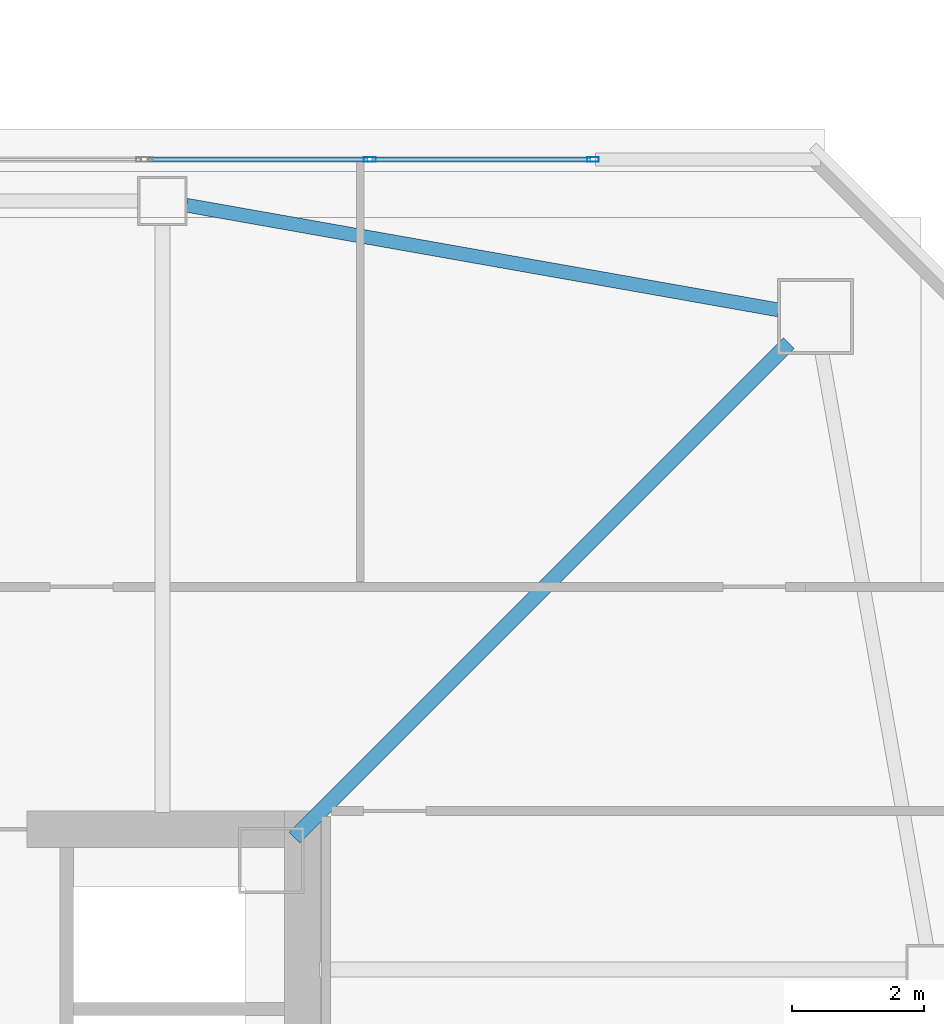
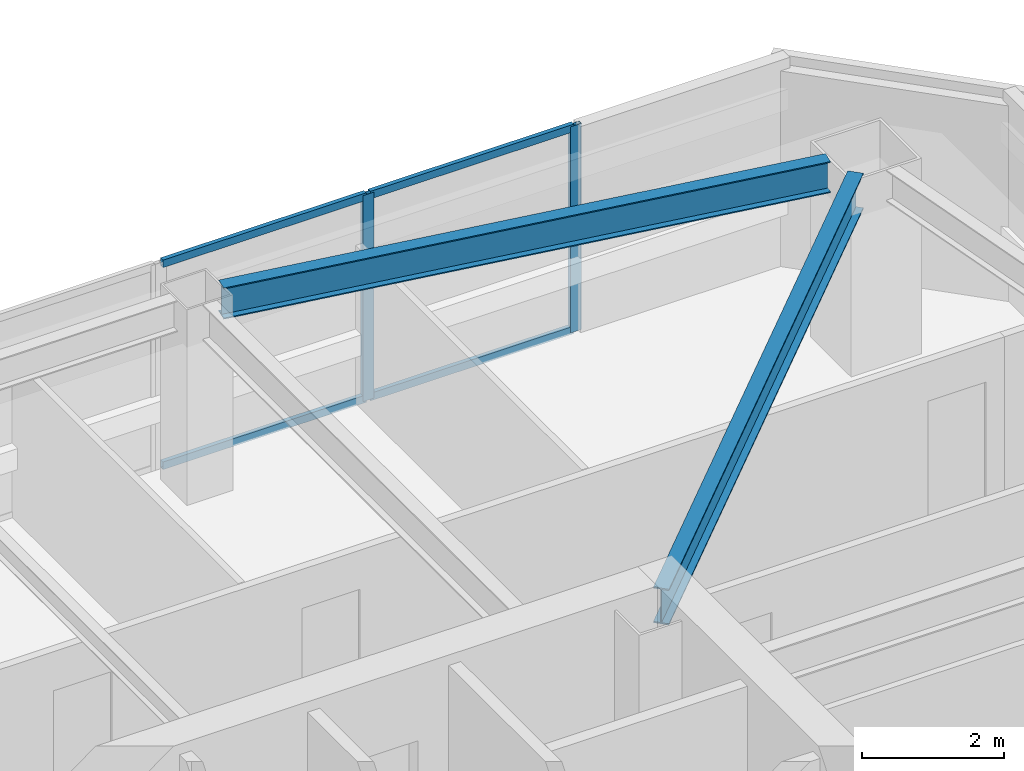
# One storey, part 15 of 43: 6 members, 2 beams, 1 element without a shape of its own.
"""IFC4 building model written with IfcOpenShell, lengths in metres."""

from ifc_helpers import new_model, si_unit, direction, frame, origin, origin_2d, place, context, subcontext, project, spatial, hollow_rectangle, i_section, extrude, material, material_profile, profile_set, type_object, element, aggregate, save


model = new_model("IFC4")

# Units and contexts
model_context = context("Model", 3, precision=1e-05, world=origin(), true_north=direction((0.0, 1.0)))
body_context = subcontext(model_context, "Body", "Model", "MODEL_VIEW")
ifc_project = project(units=[si_unit("LENGTHUNIT", "METRE"), si_unit("AREAUNIT", "SQUARE_METRE"), si_unit("VOLUMEUNIT", "CUBIC_METRE"), si_unit("PLANEANGLEUNIT", "RADIAN"), si_unit("MASSUNIT", "GRAM", prefix="KILO")], contexts=[model_context])

# Site, building, storey
site_placement = place(None, origin())
site = spatial("IfcSite", under=ifc_project, at=site_placement, CompositionType="ELEMENT")
building_placement = place(site_placement, origin())
building = spatial("IfcBuilding", under=site, at=building_placement, Name="Tashvorn Skyway Center", CompositionType="ELEMENT")
storey_placement = place(building_placement, frame((0.0, 0.0, 160.550048828125)))
storey = spatial("IfcBuildingStorey", under=building, at=storey_placement, Name="L43", CompositionType="ELEMENT", Elevation=160.550048828125)

# Beams
ifc_material_1 = material(Name="Steel ASTM A992 Grade 50", Category="steel")
ifc_material_profile_1 = material_profile(ifc_material_1, i_section(OverallWidth=0.22998046875, OverallDepth=0.616943359375, WebThickness=0.01318359375, FlangeThickness=0.022216796875, at=origin_2d()), Name="W24X94")
ifc_profile_set_1 = profile_set([ifc_material_profile_1], Name="Steel ASTM A992 Grade 50")
beam_type_1 = type_object("IfcBeamType", Name="BM-BEAM-W24X94", PredefinedType="BEAM", material=ifc_profile_set_1)
beam_1_placement = place(storey_placement, frame((56.89697265625, 46.89697265625, 3.0615234375), z_axis=(-0.707106781187, -0.707106781187, 0.0), x_axis=(0.707106781187, -0.707106781187, 0.0)))
element("IfcBeam", 1, at=beam_1_placement, inside=storey, type_object=beam_type_1, Name="Tower 1 L43 Primary Floor Girder MC-NE", PredefinedType="BEAM", context=body_context, shape_type="SweptSolid", body=[
    extrude(i_section(OverallWidth=0.22998046875, OverallDepth=0.616943359375, WebThickness=0.01318359375, FlangeThickness=0.022216796875, at=origin_2d()), origin(), (0.0, 0.0, 1.0), 10.6025390625),
])
ifc_material_profile_2 = material_profile(ifc_material_1, i_section(OverallWidth=0.2109375, OverallDepth=0.5390625, WebThickness=0.01171875, FlangeThickness=0.018798828125, at=origin_2d()), Name="W21X73")
ifc_profile_set_2 = profile_set([ifc_material_profile_2], Name="Steel ASTM A992 Grade 50")
beam_type_2 = type_object("IfcBeamType", Name="BM-SPANDREL-W21X73", PredefinedType="SPANDREL", material=ifc_profile_set_2)
beam_2_placement = place(storey_placement, frame((56.73876953125, 47.399169921875, 3.100341796875), z_axis=(-0.984732545667, 0.174074160933, 0.0), x_axis=(-0.174074160933, -0.984732545667, 0.0)))
element("IfcBeam", 2, at=beam_2_placement, inside=storey, type_object=beam_type_2, Name="Tower 1 L43 Spandrel Beam 07", PredefinedType="SPANDREL", context=body_context, shape_type="SweptSolid", body=[
    extrude(i_section(OverallWidth=0.2109375, OverallDepth=0.5390625, WebThickness=0.01171875, FlangeThickness=0.018798828125, at=origin_2d()), origin(), (0.0, 0.0, 1.0), 9.113525390625),
])

# Curtain wall, members
ifc_material_2 = material(Name="Thermally broken bronze-anodized aluminium 6063-T6", Category="aluminium")
curtain_wall_type = type_object("IfcCurtainWallType", Name="CW-CW-Z4", PredefinedType="NOTDEFINED", material=ifc_material_2)
curtain_wall_placement = place(storey_placement, origin())
curtain_wall = element("IfcCurtainWall", 3, at=curtain_wall_placement, inside=storey, type_object=curtain_wall_type, Name="Tower 1 L43 North Unitised Curtain Wall Glazing Group 3", PredefinedType="NOTDEFINED")
ifc_material_profile_3 = material_profile(ifc_material_2, hollow_rectangle(XDim=0.070068359375, YDim=0.179931640625, WallThickness=0.00390625, at=origin_2d()), Name="ALU-MULL-70x180")
ifc_profile_set_3 = profile_set([ifc_material_profile_3], Name="Thermally broken bronze-anodized aluminium 6063-T6")
member_type_1 = type_object("IfcMemberType", Name="CWM-CW-Z4", PredefinedType="MULLION", material=ifc_profile_set_3)
member_1_placement = place(storey_placement, frame((50.54443359375, 49.679931640625, 0.0), z_axis=(0.0, 0.0, 1.0), x_axis=(0.0, 1.0, 0.0)))
member_1 = element("IfcMember", 4, at=member_1_placement, type_object=member_type_1, Name="CW-Z4 mullion 2", PredefinedType="MULLION", context=body_context, shape_type="SweptSolid", body=[
    extrude(hollow_rectangle(XDim=0.070068359375, YDim=0.179931640625, WallThickness=0.00390625, at=origin_2d()), origin(), (0.0, 0.0, 1.0), 3.550048828125),
])
member_2_placement = place(storey_placement, frame((53.92724609375, 49.679931640625, 0.0), z_axis=(0.0, 0.0, 1.0), x_axis=(0.0, 1.0, 0.0)))
member_2 = element("IfcMember", 5, at=member_2_placement, type_object=member_type_1, Name="CW-Z4 mullion 3", PredefinedType="MULLION", context=body_context, shape_type="SweptSolid", body=[
    extrude(hollow_rectangle(XDim=0.070068359375, YDim=0.179931640625, WallThickness=0.00390625, at=origin_2d()), origin(), (0.0, 0.0, 1.0), 3.550048828125),
])
ifc_material_profile_4 = material_profile(ifc_material_2, hollow_rectangle(XDim=0.070068359375, YDim=0.1298828125, WallThickness=0.00390625, at=origin_2d()), Name="ALU-TRAN-70x130")
ifc_profile_set_4 = profile_set([ifc_material_profile_4], Name="Thermally broken bronze-anodized aluminium 6063-T6")
member_type_2 = type_object("IfcMemberType", Name="CWT-CW-Z4", PredefinedType="USERDEFINED", material=ifc_profile_set_4)
member_3_placement = place(storey_placement, frame((47.19677734375, 49.679931640625, 0.034912109375), z_axis=(1.0, 0.0, 0.0), x_axis=(0.0, 1.0, 0.0)))
member_3 = element("IfcMember", 6, at=member_3_placement, type_object=member_type_2, Name="CW-Z4 transom 1.1", ObjectType="TRANSOM", PredefinedType="USERDEFINED", context=body_context, shape_type="SweptSolid", body=[
    extrude(hollow_rectangle(XDim=0.070068359375, YDim=0.1298828125, WallThickness=0.00390625, at=origin_2d()), origin(), (0.0, 0.0, 1.0), 3.312744140625),
])
member_4_placement = place(storey_placement, frame((47.19677734375, 49.679931640625, 3.514892578125), z_axis=(1.0, 0.0, 0.0), x_axis=(0.0, 1.0, 0.0)))
member_4 = element("IfcMember", 7, at=member_4_placement, type_object=member_type_2, Name="CW-Z4 transom 1.2", ObjectType="TRANSOM", PredefinedType="USERDEFINED", context=body_context, shape_type="SweptSolid", body=[
    extrude(hollow_rectangle(XDim=0.070068359375, YDim=0.1298828125, WallThickness=0.00390625, at=origin_2d()), origin(), (0.0, 0.0, 1.0), 3.312744140625),
])
member_5_placement = place(storey_placement, frame((50.579345703125, 49.679931640625, 0.034912109375), z_axis=(1.0, 0.0, 0.0), x_axis=(0.0, 1.0, 0.0)))
member_5 = element("IfcMember", 8, at=member_5_placement, type_object=member_type_2, Name="CW-Z4 transom 2.1", ObjectType="TRANSOM", PredefinedType="USERDEFINED", context=body_context, shape_type="SweptSolid", body=[
    extrude(hollow_rectangle(XDim=0.070068359375, YDim=0.1298828125, WallThickness=0.00390625, at=origin_2d()), origin(), (0.0, 0.0, 1.0), 3.312744140625),
])
member_6_placement = place(storey_placement, frame((50.579345703125, 49.679931640625, 3.514892578125), z_axis=(1.0, 0.0, 0.0), x_axis=(0.0, 1.0, 0.0)))
member_6 = element("IfcMember", 9, at=member_6_placement, type_object=member_type_2, Name="CW-Z4 transom 2.2", ObjectType="TRANSOM", PredefinedType="USERDEFINED", context=body_context, shape_type="SweptSolid", body=[
    extrude(hollow_rectangle(XDim=0.070068359375, YDim=0.1298828125, WallThickness=0.00390625, at=origin_2d()), origin(), (0.0, 0.0, 1.0), 3.312744140625),
])
aggregate(curtain_wall, [member_1, member_2, member_3, member_4, member_5, member_6])

save(model, "model.ifc")
